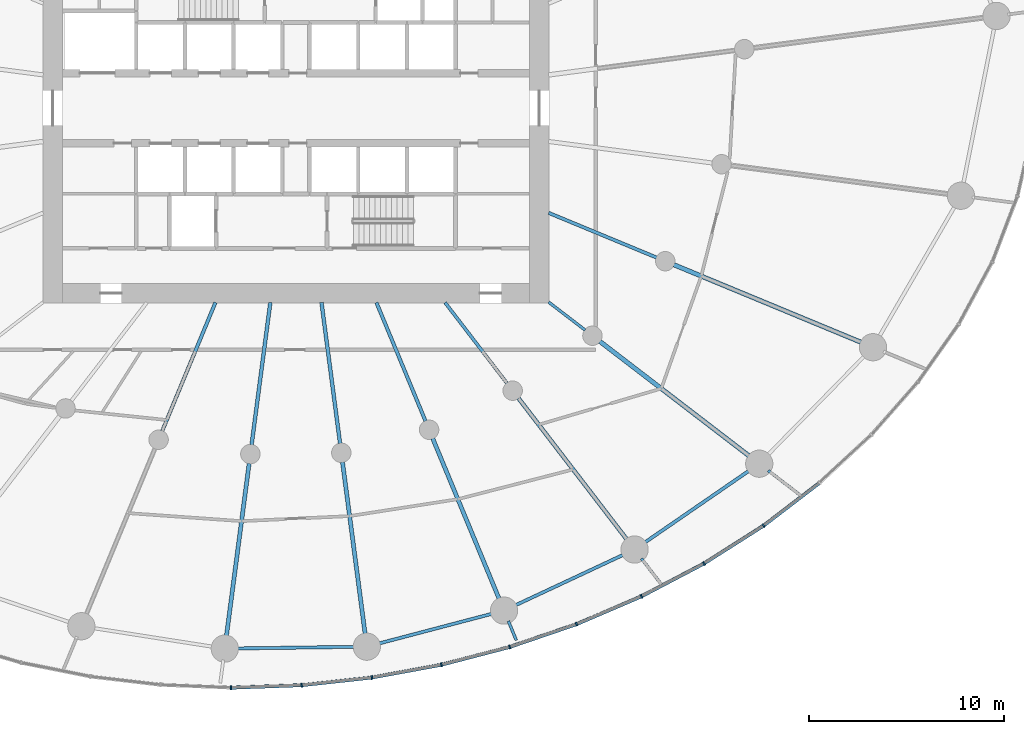
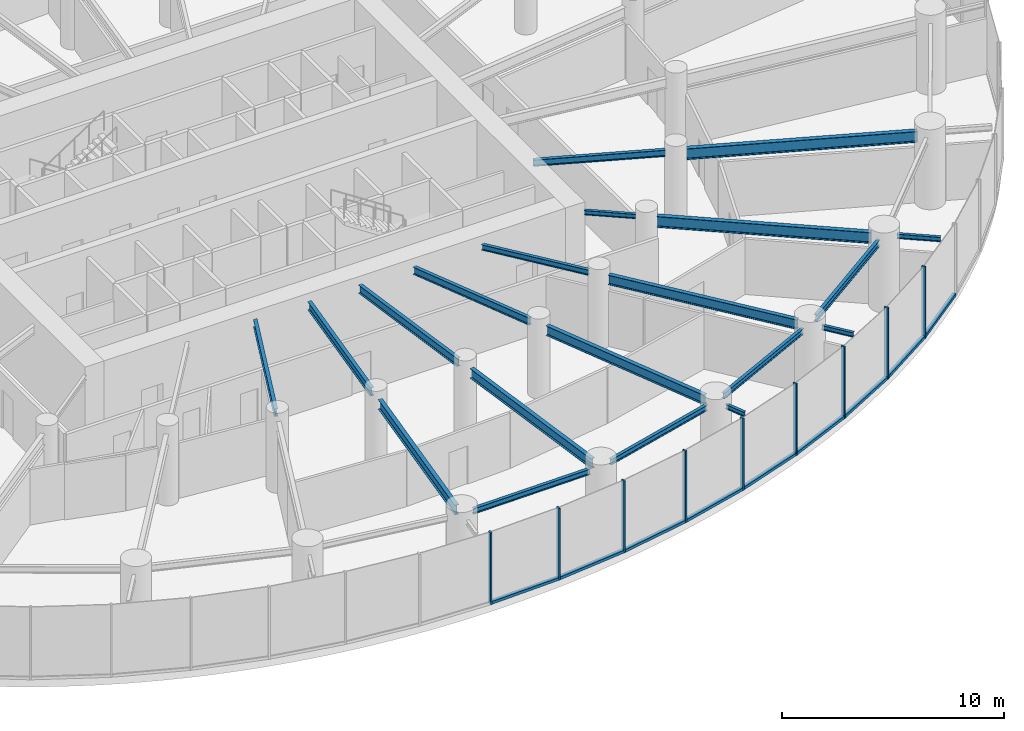
# One storey, part 4 of 19: 20 beams, 18 members, 2 elements without a shape of their own.
"""IFC4 building model written with IfcOpenShell, lengths in metres."""

from ifc_helpers import new_model, si_unit, direction, frame, origin, origin_2d, place, context, subcontext, project, spatial, rectangle, i_section, extrude, source, transform, mapped, material, layer, layer_set, material_profile, profile_set, type_object, element, aggregate, save


model = new_model("IFC4")

# Units and contexts
model_context = context("Model", 3, precision=1e-05, world=origin(), true_north=direction((0.0, 1.0)))
body_context = subcontext(model_context, "Body", "Model", "MODEL_VIEW")
ifc_project = project(units=[si_unit("LENGTHUNIT", "METRE"), si_unit("AREAUNIT", "SQUARE_METRE"), si_unit("VOLUMEUNIT", "CUBIC_METRE"), si_unit("PLANEANGLEUNIT", "RADIAN"), si_unit("MASSUNIT", "GRAM", prefix="KILO")], contexts=[model_context])

# Site, building, storey
site_placement = place(None, origin())
site = spatial("IfcSite", under=ifc_project, at=site_placement, CompositionType="ELEMENT")
building_placement = place(site_placement, origin())
building = spatial("IfcBuilding", under=site, at=building_placement, Name="Spindrift Exchange Tower", CompositionType="ELEMENT")
storey_placement = place(building_placement, frame((0.0, 0.0, 49.0)))
storey = spatial("IfcBuildingStorey", under=building, at=storey_placement, Name="L11", CompositionType="ELEMENT", Elevation=49.0)

# Beams
ifc_material_1 = material(Name="Steel Grade 300", Category="steel")
ifc_material_profile_1 = material_profile(ifc_material_1, i_section(OverallWidth=0.177978515625, OverallDepth=0.406005859375, WebThickness=0.0078125, FlangeThickness=0.0126953125, FilletRadius=0.013916015625, at=origin_2d()), Name="410UB59.7")
ifc_profile_set_1 = profile_set([ifc_material_profile_1], Name="Steel Grade 300")
beam_type_1 = type_object("IfcBeamType", Name="Floor Beam 410UB59.7 Steel Grade 300", PredefinedType="BEAM", material=ifc_profile_set_1)
shared_shape_1 = source(origin(), body_context, "Body", "SweptSolid", [
    extrude(i_section(OverallWidth=0.177978515625, OverallDepth=0.406005859375, WebThickness=0.0078125, FlangeThickness=0.0126953125, FilletRadius=0.013916015625, at=origin_2d()), origin(), (0.0, 0.0, 1.0), 7.150634765625),
])
beam_1_placement = place(storey_placement, frame((47.865478515625, 38.0185546875, 3.7470703125), z_axis=(-0.382665393358, -0.923887004306, 0.0), x_axis=(0.923887004306, -0.382665393358, 0.0)))
element("IfcBeam", 1, at=beam_1_placement, inside=storey, type_object=beam_type_1, Name="L11 radial beam R17A", PredefinedType="BEAM", context=body_context, shape_type="MappedRepresentation", body=[
    mapped(shared_shape_1, transform((0.0, 0.0, 0.0), scale=1.0)),
])
ifc_material_profile_2 = material_profile(ifc_material_1, i_section(OverallWidth=0.18994140625, OverallDepth=0.45703125, WebThickness=0.009033203125, FlangeThickness=0.014404296875, FilletRadius=0.013916015625, at=origin_2d()), Name="460UB74.6")
ifc_profile_set_2 = profile_set([ifc_material_profile_2], Name="Steel Grade 300")
beam_type_2 = type_object("IfcBeamType", Name="Floor Beam 460UB74.6 Steel Grade 300", PredefinedType="BEAM", material=ifc_profile_set_2)
shared_shape_2 = source(origin(), body_context, "Body", "SweptSolid", [
    extrude(i_section(OverallWidth=0.18994140625, OverallDepth=0.45703125, WebThickness=0.009033203125, FlangeThickness=0.014404296875, FilletRadius=0.013916015625, at=origin_2d()), origin(), (0.0, 0.0, 1.0), 7.374267578125),
])
beam_2_placement = place(storey_placement, frame((50.68603515625, 38.019775390625, 3.721435546875), z_axis=(-0.130539295622, -0.99144313619, 0.0), x_axis=(0.99144313619, -0.130539295622, 0.0)))
element("IfcBeam", 2, at=beam_2_placement, inside=storey, type_object=beam_type_2, Name="L11 radial beam R18A", PredefinedType="BEAM", context=body_context, shape_type="MappedRepresentation", body=[
    mapped(shared_shape_2, transform((0.0, 0.0, 0.0), scale=1.0)),
])
ifc_material_profile_3 = material_profile(ifc_material_1, i_section(OverallWidth=0.208984375, OverallDepth=0.532958984375, WebThickness=0.01025390625, FlangeThickness=0.015625, FilletRadius=0.013916015625, at=origin_2d()), Name="530UB92.4")
ifc_profile_set_3 = profile_set([ifc_material_profile_3], Name="Steel Grade 300")
beam_type_3 = type_object("IfcBeamType", Name="Floor Beam 530UB92.4 Steel Grade 300", PredefinedType="BEAM", material=ifc_profile_set_3)
shared_shape_3 = source(origin(), body_context, "Body", "SweptSolid", [
    extrude(i_section(OverallWidth=0.208984375, OverallDepth=0.532958984375, WebThickness=0.01025390625, FlangeThickness=0.015625, FilletRadius=0.013916015625, at=origin_2d()), origin(), (0.0, 0.0, 1.0), 9.020263671875),
])
beam_3_placement = place(storey_placement, frame((49.59814453125, 29.7568359375, 3.68359375), z_axis=(-0.13051122338, -0.991446831944, 0.0), x_axis=(0.991446831944, -0.13051122338, 0.0)))
element("IfcBeam", 3, at=beam_3_placement, inside=storey, type_object=beam_type_3, Name="L11 radial beam R18B", PredefinedType="BEAM", context=body_context, shape_type="MappedRepresentation", body=[
    mapped(shared_shape_3, transform((0.0, 0.0, 0.0), scale=1.0)),
])
shared_shape_4 = source(origin(), body_context, "Body", "SweptSolid", [
    extrude(i_section(OverallWidth=0.18994140625, OverallDepth=0.45703125, WebThickness=0.009033203125, FlangeThickness=0.014404296875, FilletRadius=0.013916015625, at=origin_2d()), origin(), (0.0, 0.0, 1.0), 7.3095703125),
])
beam_4_placement = place(storey_placement, frame((53.31396484375, 38.019775390625, 3.721435546875), z_axis=(0.130527087244, -0.991444743541, 0.0), x_axis=(0.991444743541, 0.130527087244, 0.0)))
element("IfcBeam", 4, at=beam_4_placement, inside=storey, type_object=beam_type_2, Name="L11 radial beam R19A", PredefinedType="BEAM", context=body_context, shape_type="MappedRepresentation", body=[
    mapped(shared_shape_4, transform((0.0, 0.0, 0.0), scale=1.0)),
])
shared_shape_5 = source(origin(), body_context, "Body", "SweptSolid", [
    extrude(i_section(OverallWidth=0.208984375, OverallDepth=0.532958984375, WebThickness=0.01025390625, FlangeThickness=0.015625, FilletRadius=0.013916015625, at=origin_2d()), origin(), (0.0, 0.0, 1.0), 8.98388671875),
])
beam_5_placement = place(storey_placement, frame((54.393310546875, 29.82080078125, 3.68359375), z_axis=(0.130524106785, -0.991445135924, 0.0), x_axis=(0.991445135924, 0.130524106785, 0.0)))
element("IfcBeam", 5, at=beam_5_placement, inside=storey, type_object=beam_type_3, Name="L11 radial beam R19B", PredefinedType="BEAM", context=body_context, shape_type="MappedRepresentation", body=[
    mapped(shared_shape_5, transform((0.0, 0.0, 0.0), scale=1.0)),
])
shared_shape_6 = source(origin(), body_context, "Body", "SweptSolid", [
    extrude(i_section(OverallWidth=0.177978515625, OverallDepth=0.406005859375, WebThickness=0.0078125, FlangeThickness=0.0126953125, FilletRadius=0.013916015625, at=origin_2d()), origin(), (0.0, 0.0, 1.0), 6.594482421875),
])
beam_6_placement = place(storey_placement, frame((56.134521484375, 38.0185546875, 3.7470703125), z_axis=(0.382692929746, -0.92387559851, 0.0), x_axis=(0.92387559851, 0.382692929746, 0.0)))
element("IfcBeam", 6, at=beam_6_placement, inside=storey, type_object=beam_type_1, Name="L11 radial beam R20A", PredefinedType="BEAM", context=body_context, shape_type="MappedRepresentation", body=[
    mapped(shared_shape_6, transform((0.0, 0.0, 0.0), scale=1.0)),
])
shared_shape_7 = source(origin(), body_context, "Body", "SweptSolid", [
    extrude(i_section(OverallWidth=0.208984375, OverallDepth=0.532958984375, WebThickness=0.01025390625, FlangeThickness=0.015625, FilletRadius=0.013916015625, at=origin_2d()), origin(), (0.0, 0.0, 1.0), 8.99658203125),
])
beam_7_placement = place(storey_placement, frame((59.025390625, 31.0390625, 3.68359375), z_axis=(0.382685731718, -0.923878580085, 0.0), x_axis=(0.923878580085, 0.382685731718, 0.0)))
element("IfcBeam", 7, at=beam_7_placement, inside=storey, type_object=beam_type_3, Name="L11 radial beam R20B", PredefinedType="BEAM", context=body_context, shape_type="MappedRepresentation", body=[
    mapped(shared_shape_7, transform((0.0, 0.0, 0.0), scale=1.0)),
])
ifc_material_profile_4 = material_profile(ifc_material_1, i_section(OverallWidth=0.1650390625, OverallDepth=0.303955078125, WebThickness=0.006103515625, FlangeThickness=0.01025390625, FilletRadius=0.011474609375, at=origin_2d()), Name="310UB40.4")
ifc_profile_set_4 = profile_set([ifc_material_profile_4], Name="Steel Grade 300")
beam_type_4 = type_object("IfcBeamType", Name="Floor Beam 310UB40.4 Steel Grade 300", PredefinedType="BEAM", material=ifc_profile_set_4)
shared_shape_8 = source(origin(), body_context, "Body", "SweptSolid", [
    extrude(i_section(OverallWidth=0.1650390625, OverallDepth=0.303955078125, WebThickness=0.006103515625, FlangeThickness=0.01025390625, FilletRadius=0.011474609375, at=origin_2d()), origin(), (0.0, 0.0, 1.0), 5.224609375),
])
beam_8_placement = place(storey_placement, frame((59.6611328125, 38.015869140625, 3.798095703125), z_axis=(0.608741499316, -0.793368632485, 0.0), x_axis=(0.793368632485, 0.608741499316, 0.0)))
element("IfcBeam", 8, at=beam_8_placement, inside=storey, type_object=beam_type_4, Name="L11 radial beam R21A", PredefinedType="BEAM", context=body_context, shape_type="MappedRepresentation", body=[
    mapped(shared_shape_8, transform((0.0, 0.0, 0.0), scale=1.0)),
])
shared_shape_9 = source(origin(), body_context, "Body", "SweptSolid", [
    extrude(i_section(OverallWidth=0.208984375, OverallDepth=0.532958984375, WebThickness=0.01025390625, FlangeThickness=0.015625, FilletRadius=0.013916015625, at=origin_2d()), origin(), (0.0, 0.0, 1.0), 9.227783203125),
])
beam_9_placement = place(storey_placement, frame((63.426025390625, 33.109375, 3.68359375), z_axis=(0.608747534474, -0.79336400175, 0.0), x_axis=(0.79336400175, 0.608747534474, 0.0)))
element("IfcBeam", 9, at=beam_9_placement, inside=storey, type_object=beam_type_3, Name="L11 radial beam R21B", PredefinedType="BEAM", context=body_context, shape_type="MappedRepresentation", body=[
    mapped(shared_shape_9, transform((0.0, 0.0, 0.0), scale=1.0)),
])
ifc_material_profile_5 = material_profile(ifc_material_1, i_section(OverallWidth=0.14599609375, OverallDepth=0.251953125, WebThickness=0.006103515625, FlangeThickness=0.008544921875, FilletRadius=0.011962890625, at=origin_2d()), Name="250UB31.4")
ifc_profile_set_5 = profile_set([ifc_material_profile_5], Name="Steel Grade 300")
beam_type_5 = type_object("IfcBeamType", Name="Floor Beam 250UB31.4 Steel Grade 300", PredefinedType="BEAM", material=ifc_profile_set_5)
shared_shape_10 = source(origin(), body_context, "Body", "SweptSolid", [
    extrude(i_section(OverallWidth=0.14599609375, OverallDepth=0.251953125, WebThickness=0.006103515625, FlangeThickness=0.008544921875, FilletRadius=0.011962890625, at=origin_2d()), origin(), (0.0, 0.0, 1.0), 2.353759765625),
])
beam_10_placement = place(storey_placement, frame((64.984130859375, 38.036865234375, 3.823974609375), z_axis=(0.793367573265, -0.608742879787, 0.0), x_axis=(0.608742879787, 0.793367573265, 0.0)))
element("IfcBeam", 10, at=beam_10_placement, inside=storey, type_object=beam_type_5, Name="L11 radial beam R22A", PredefinedType="BEAM", context=body_context, shape_type="MappedRepresentation", body=[
    mapped(shared_shape_10, transform((0.0, 0.0, 0.0), scale=1.0)),
])
ifc_material_profile_6 = material_profile(ifc_material_1, i_section(OverallWidth=0.22802734375, OverallDepth=0.60693359375, WebThickness=0.01123046875, FlangeThickness=0.017333984375, FilletRadius=0.013916015625, at=origin_2d()), Name="610UB113")
ifc_profile_set_6 = profile_set([ifc_material_profile_6], Name="Steel Grade 300")
beam_type_6 = type_object("IfcBeamType", Name="Floor Beam 610UB113 Steel Grade 300", PredefinedType="BEAM", material=ifc_profile_set_6)
shared_shape_11 = source(origin(), body_context, "Body", "SweptSolid", [
    extrude(i_section(OverallWidth=0.22802734375, OverallDepth=0.60693359375, WebThickness=0.01123046875, FlangeThickness=0.017333984375, FilletRadius=0.013916015625, at=origin_2d()), origin(), (0.0, 0.0, 1.0), 9.73974609375),
])
beam_11_placement = place(storey_placement, frame((67.61328125, 36.01953125, 3.646484375), z_axis=(0.793352119621, -0.608763019814, 0.0), x_axis=(0.608763019814, 0.793352119621, 0.0)))
element("IfcBeam", 11, at=beam_11_placement, inside=storey, type_object=beam_type_6, Name="L11 radial beam R22B", PredefinedType="BEAM", context=body_context, shape_type="MappedRepresentation", body=[
    mapped(shared_shape_11, transform((0.0, 0.0, 0.0), scale=1.0)),
])
ifc_material_profile_7 = material_profile(ifc_material_1, i_section(OverallWidth=0.172119140625, OverallDepth=0.35888671875, WebThickness=0.008056640625, FlangeThickness=0.012939453125, FilletRadius=0.013916015625, at=origin_2d()), Name="360UB56.7")
ifc_profile_set_7 = profile_set([ifc_material_profile_7], Name="Steel Grade 300")
beam_type_7 = type_object("IfcBeamType", Name="Floor Beam 360UB56.7 Steel Grade 300", PredefinedType="BEAM", material=ifc_profile_set_7)
shared_shape_12 = source(origin(), body_context, "Body", "SweptSolid", [
    extrude(i_section(OverallWidth=0.172119140625, OverallDepth=0.35888671875, WebThickness=0.008056640625, FlangeThickness=0.012939453125, FilletRadius=0.013916015625, at=origin_2d()), origin(), (0.0, 0.0, 1.0), 6.004638671875),
])
beam_12_placement = place(storey_placement, frame((64.9814453125, 42.622802734375, 3.7705078125), z_axis=(0.923882044911, -0.38267736684, 0.0), x_axis=(0.38267736684, 0.923882044911, 0.0)))
element("IfcBeam", 12, at=beam_12_placement, inside=storey, type_object=beam_type_7, Name="L11 radial beam R23A", PredefinedType="BEAM", context=body_context, shape_type="MappedRepresentation", body=[
    mapped(shared_shape_12, transform((0.0, 0.0, 0.0), scale=1.0)),
])
shared_shape_13 = source(origin(), body_context, "Body", "SweptSolid", [
    extrude(i_section(OverallWidth=0.22802734375, OverallDepth=0.60693359375, WebThickness=0.01123046875, FlangeThickness=0.017333984375, FilletRadius=0.013916015625, at=origin_2d()), origin(), (0.0, 0.0, 1.0), 10.4912109375),
])
beam_13_placement = place(storey_placement, frame((71.416015625, 39.95751953125, 3.646484375), z_axis=(0.923885231151, -0.382669674342, 0.0), x_axis=(0.382669674342, 0.923885231151, 0.0)))
element("IfcBeam", 13, at=beam_13_placement, inside=storey, type_object=beam_type_6, Name="L11 radial beam R23B", PredefinedType="BEAM", context=body_context, shape_type="MappedRepresentation", body=[
    mapped(shared_shape_13, transform((0.0, 0.0, 0.0), scale=1.0)),
])
ifc_material_profile_8 = material_profile(ifc_material_1, i_section(OverallWidth=0.1650390625, OverallDepth=0.303955078125, WebThickness=0.006103515625, FlangeThickness=0.01025390625, FilletRadius=0.011474609375, at=origin_2d()), Name="310UB40.4")
ifc_profile_set_8 = profile_set([ifc_material_profile_8], Name="Steel Grade 300")
beam_type_8 = type_object("IfcBeamType", Name="Edge Beam 310UB40.4 Steel Grade 300", PredefinedType="SPANDREL", material=ifc_profile_set_8)
shared_shape_14 = source(origin(), body_context, "Body", "SweptSolid", [
    extrude(i_section(OverallWidth=0.1650390625, OverallDepth=0.303955078125, WebThickness=0.006103515625, FlangeThickness=0.01025390625, FilletRadius=0.011474609375, at=origin_2d()), origin(), (0.0, 0.0, 1.0), 6.13720703125),
])
beam_14_placement = place(storey_placement, frame((48.925048828125, 20.24658203125, 3.798095703125), z_axis=(0.999905820907, 0.013724041543, 0.0), x_axis=(-0.013724041543, 0.999905820907, 0.0)))
element("IfcBeam", 14, at=beam_14_placement, inside=storey, type_object=beam_type_8, Name="L11 edge beam E18", PredefinedType="SPANDREL", context=body_context, shape_type="MappedRepresentation", body=[
    mapped(shared_shape_14, transform((0.0, 0.0, 0.0), scale=1.0)),
])
shared_shape_15 = source(origin(), body_context, "Body", "SweptSolid", [
    extrude(i_section(OverallWidth=0.1650390625, OverallDepth=0.303955078125, WebThickness=0.006103515625, FlangeThickness=0.01025390625, FilletRadius=0.011474609375, at=origin_2d()), origin(), (0.0, 0.0, 1.0), 6.128173828125),
])
beam_15_placement = place(storey_placement, frame((56.20263671875, 20.486083984375, 3.798095703125), z_axis=(0.967147261855, 0.254216785216, 0.0), x_axis=(-0.254216785216, 0.967147261855, 0.0)))
element("IfcBeam", 15, at=beam_15_placement, inside=storey, type_object=beam_type_8, Name="L11 edge beam E19", PredefinedType="SPANDREL", context=body_context, shape_type="MappedRepresentation", body=[
    mapped(shared_shape_15, transform((0.0, 0.0, 0.0), scale=1.0)),
])
shared_shape_16 = source(origin(), body_context, "Body", "SweptSolid", [
    extrude(i_section(OverallWidth=0.1650390625, OverallDepth=0.303955078125, WebThickness=0.006103515625, FlangeThickness=0.01025390625, FilletRadius=0.011474609375, at=origin_2d()), origin(), (0.0, 0.0, 1.0), 6.243408203125),
])
beam_16_placement = place(storey_placement, frame((63.2158203125, 22.43701171875, 3.798095703125), z_axis=(0.905791146607, 0.423724437257, 0.0), x_axis=(-0.423724437257, 0.905791146607, 0.0)))
element("IfcBeam", 16, at=beam_16_placement, inside=storey, type_object=beam_type_8, Name="L11 edge beam E20", PredefinedType="SPANDREL", context=body_context, shape_type="MappedRepresentation", body=[
    mapped(shared_shape_16, transform((0.0, 0.0, 0.0), scale=1.0)),
])
ifc_material_profile_9 = material_profile(ifc_material_1, i_section(OverallWidth=0.172119140625, OverallDepth=0.35888671875, WebThickness=0.008056640625, FlangeThickness=0.012939453125, FilletRadius=0.013916015625, at=origin_2d()), Name="360UB56.7")
ifc_profile_set_9 = profile_set([ifc_material_profile_9], Name="Steel Grade 300")
beam_type_9 = type_object("IfcBeamType", Name="Edge Beam 360UB56.7 Steel Grade 300", PredefinedType="SPANDREL", material=ifc_profile_set_9)
shared_shape_17 = source(origin(), body_context, "Body", "SweptSolid", [
    extrude(i_section(OverallWidth=0.172119140625, OverallDepth=0.35888671875, WebThickness=0.008056640625, FlangeThickness=0.012939453125, FilletRadius=0.013916015625, at=origin_2d()), origin(), (0.0, 0.0, 1.0), 6.614990234375),
])
beam_17_placement = place(storey_placement, frame((69.874267578125, 25.6572265625, 3.7705078125), z_axis=(0.823690708835, 0.567039342708, 0.0), x_axis=(-0.567039342708, 0.823690708835, 0.0)))
element("IfcBeam", 17, at=beam_17_placement, inside=storey, type_object=beam_type_9, Name="L11 edge beam E21", PredefinedType="SPANDREL", context=body_context, shape_type="MappedRepresentation", body=[
    mapped(shared_shape_17, transform((0.0, 0.0, 0.0), scale=1.0)),
])
ifc_material_profile_10 = material_profile(ifc_material_1, i_section(OverallWidth=0.14599609375, OverallDepth=0.251953125, WebThickness=0.006103515625, FlangeThickness=0.008544921875, FilletRadius=0.011962890625, at=origin_2d()), Name="250UB31.4")
ifc_profile_set_10 = profile_set([ifc_material_profile_10], Name="Steel Grade 300")
beam_type_10 = type_object("IfcBeamType", Name="Cantilever Beam 250UB31.4 Steel Grade 300", PredefinedType="BEAM", material=ifc_profile_set_10)
shared_shape_18 = source(origin(), body_context, "Body", "SweptSolid", [
    extrude(i_section(OverallWidth=0.14599609375, OverallDepth=0.251953125, WebThickness=0.006103515625, FlangeThickness=0.008544921875, FilletRadius=0.011962890625, at=origin_2d()), origin(), (0.0, 0.0, 1.0), 1.0703125),
])
beam_18_placement = place(storey_placement, frame((62.912109375, 21.655517578125, 3.823974609375), z_axis=(0.382768141022, -0.923844440487, 0.0), x_axis=(0.923844440487, 0.382768141022, 0.0)))
element("IfcBeam", 18, at=beam_18_placement, inside=storey, type_object=beam_type_10, Name="L11 cantilever beam R20T", PredefinedType="BEAM", context=body_context, shape_type="MappedRepresentation", body=[
    mapped(shared_shape_18, transform((0.0, 0.0, 0.0), scale=1.0)),
])
shared_shape_19 = source(origin(), body_context, "Body", "SweptSolid", [
    extrude(i_section(OverallWidth=0.14599609375, OverallDepth=0.251953125, WebThickness=0.006103515625, FlangeThickness=0.008544921875, FilletRadius=0.011962890625, at=origin_2d()), origin(), (0.0, 0.0, 1.0), 1.551025390625),
])
beam_19_placement = place(storey_placement, frame((69.749755859375, 24.8681640625, 3.823974609375), z_axis=(0.608728928553, -0.79337827771, 0.0), x_axis=(0.79337827771, 0.608728928553, 0.0)))
element("IfcBeam", 19, at=beam_19_placement, inside=storey, type_object=beam_type_10, Name="L11 cantilever beam R21T", PredefinedType="BEAM", context=body_context, shape_type="MappedRepresentation", body=[
    mapped(shared_shape_19, transform((0.0, 0.0, 0.0), scale=1.0)),
])
shared_shape_20 = source(origin(), body_context, "Body", "SweptSolid", [
    extrude(i_section(OverallWidth=0.14599609375, OverallDepth=0.251953125, WebThickness=0.006103515625, FlangeThickness=0.008544921875, FilletRadius=0.011962890625, at=origin_2d()), origin(), (0.0, 0.0, 1.0), 1.985107421875),
])
beam_20_placement = place(storey_placement, frame((76.2607421875, 29.384033203125, 3.823974609375), z_axis=(0.7933549083, -0.608759385535, 0.0), x_axis=(0.608759385535, 0.7933549083, 0.0)))
element("IfcBeam", 20, at=beam_20_placement, inside=storey, type_object=beam_type_10, Name="L11 cantilever beam R22T", PredefinedType="BEAM", context=body_context, shape_type="MappedRepresentation", body=[
    mapped(shared_shape_20, transform((0.0, 0.0, 0.0), scale=1.0)),
])

# Curtain wall, members
ifc_material_2 = material(Name="Fritted laminated glass with bronze frame", Category="glass")
ifc_layer = layer(ifc_material_2, 0.199951171875)
ifc_layer_set = layer_set([ifc_layer], Name="ZONE 1 BRONZE FRITTED WALL")
curtain_wall_type = type_object("IfcCurtainWallType", Name="ZONE 1 BRONZE FRITTED WALL", PredefinedType="NOTDEFINED", material=ifc_layer_set)
curtain_wall_1_placement = place(storey_placement, origin())
curtain_wall_1 = element("IfcCurtainWall", 21, at=curtain_wall_1_placement, inside=storey, type_object=curtain_wall_type, Name="L11 Zone 1 Bronze Fritted Wall run 8", PredefinedType="NOTDEFINED")
ifc_material_3 = material(Name="Bronze anodised aluminium", Category="aluminium")
ifc_material_profile_11 = material_profile(ifc_material_3, rectangle(XDim=0.080078125, YDim=0.199951171875, at=origin_2d()), Name="ZONE 1 BRONZE FRITTED WALL MULLION 80X200")
ifc_profile_set_11 = profile_set([ifc_material_profile_11], Name="Bronze anodised aluminium")
member_type_1 = type_object("IfcMemberType", Name="ZONE 1 BRONZE FRITTED WALL MULLION 80X200", PredefinedType="MULLION", material=ifc_profile_set_11)
shared_shape_21 = source(origin(), body_context, "Body", "SweptSolid", [
    extrude(rectangle(XDim=0.080078125, YDim=0.199951171875, at=origin_2d()), origin(), (0.0, 0.0, 1.0), 3.949951171875),
])
member_1_placement = place(storey_placement, frame((48.672119140625, 18.23193359375, 0.0), z_axis=(0.0, 0.0, 1.0), x_axis=(0.999997684621, -0.002151918167, 0.0)))
member_1 = element("IfcMember", 22, at=member_1_placement, type_object=member_type_1, Name="L11 mullion CW-1.43", PredefinedType="MULLION", context=body_context, shape_type="MappedRepresentation", body=[
    mapped(shared_shape_21, transform((0.0, 0.0, 0.0), scale=1.0)),
])
member_2_placement = place(storey_placement, frame((52.29736328125, 18.35986328125, 0.0), z_axis=(0.0, 0.0, 1.0), x_axis=(0.997407568275, 0.071959313135, 0.0)))
member_2 = element("IfcMember", 23, at=member_2_placement, type_object=member_type_1, Name="L11 mullion CW-1.44", PredefinedType="MULLION", context=body_context, shape_type="MappedRepresentation", body=[
    mapped(shared_shape_21, transform((0.0, 0.0, 0.0), scale=1.0)),
])
member_3_placement = place(storey_placement, frame((55.9033203125, 18.753662109375, 0.0), z_axis=(0.0, 0.0, 1.0), x_axis=(0.98947738713, 0.144687595732, 0.0)))
member_3 = element("IfcMember", 24, at=member_3_placement, type_object=member_type_1, Name="L11 mullion CW-1.45", PredefinedType="MULLION", context=body_context, shape_type="MappedRepresentation", body=[
    mapped(shared_shape_21, transform((0.0, 0.0, 0.0), scale=1.0)),
])
member_4_placement = place(storey_placement, frame((59.47119140625, 19.408935546875, 0.0), z_axis=(0.0, 0.0, 1.0), x_axis=(0.976295156842, 0.216443449256, 0.0)))
member_4 = element("IfcMember", 25, at=member_4_placement, type_object=member_type_1, Name="L11 mullion CW-1.46", PredefinedType="MULLION", context=body_context, shape_type="MappedRepresentation", body=[
    mapped(shared_shape_21, transform((0.0, 0.0, 0.0), scale=1.0)),
])
member_5_placement = place(storey_placement, frame((62.9814453125, 20.32275390625, 0.0), z_axis=(0.0, 0.0, 1.0), x_axis=(0.957747377967, 0.287610778654, 0.0)))
member_5 = element("IfcMember", 26, at=member_5_placement, type_object=member_type_1, Name="L11 mullion CW-1.47", PredefinedType="MULLION", context=body_context, shape_type="MappedRepresentation", body=[
    mapped(shared_shape_21, transform((0.0, 0.0, 0.0), scale=1.0)),
])
member_6_placement = place(storey_placement, frame((66.41455078125, 21.493896484375, 0.0), z_axis=(0.0, 0.0, 1.0), x_axis=(0.933504638559, 0.358565321508, 0.0)))
member_6 = element("IfcMember", 27, at=member_6_placement, type_object=member_type_1, Name="L11 mullion CW-1.48", PredefinedType="MULLION", context=body_context, shape_type="MappedRepresentation", body=[
    mapped(shared_shape_21, transform((0.0, 0.0, 0.0), scale=1.0)),
])

curtain_wall_2_placement = place(storey_placement, origin())
curtain_wall_2 = element("IfcCurtainWall", 28, at=curtain_wall_2_placement, inside=storey, type_object=curtain_wall_type, Name="L11 Zone 1 Bronze Fritted Wall run 9", PredefinedType="NOTDEFINED")
member_7_placement = place(storey_placement, frame((69.748779296875, 22.922119140625, 0.0), z_axis=(0.0, 0.0, 1.0), x_axis=(0.903023381989, 0.42959140073, 0.0)))
member_7 = element("IfcMember", 29, at=member_7_placement, type_object=member_type_1, Name="L11 mullion CW-1.49", PredefinedType="MULLION", context=body_context, shape_type="MappedRepresentation", body=[
    mapped(shared_shape_21, transform((0.0, 0.0, 0.0), scale=1.0)),
])
member_8_placement = place(storey_placement, frame((72.96044921875, 24.608154296875, 0.0), z_axis=(0.0, 0.0, 1.0), x_axis=(0.865517113146, 0.500879353588, 0.0)))
member_8 = element("IfcMember", 30, at=member_8_placement, type_object=member_type_1, Name="L11 mullion CW-1.50", PredefinedType="MULLION", context=body_context, shape_type="MappedRepresentation", body=[
    mapped(shared_shape_21, transform((0.0, 0.0, 0.0), scale=1.0)),
])
member_9_placement = place(storey_placement, frame((76.022216796875, 26.552734375, 0.0), z_axis=(0.0, 0.0, 1.0), x_axis=(0.819944441963, 0.572443108173, 0.0)))
member_9 = element("IfcMember", 31, at=member_9_placement, type_object=member_type_1, Name="L11 mullion CW-1.51", PredefinedType="MULLION", context=body_context, shape_type="MappedRepresentation", body=[
    mapped(shared_shape_21, transform((0.0, 0.0, 0.0), scale=1.0)),
])
ifc_material_profile_12 = material_profile(ifc_material_3, rectangle(XDim=0.179931640625, YDim=0.14990234375, at=origin_2d()), Name="ZONE 1 BRONZE FRITTED WALL TRANSOM 180X150")
ifc_profile_set_12 = profile_set([ifc_material_profile_12], Name="Bronze anodised aluminium")
member_type_2 = type_object("IfcMemberType", Name="ZONE 1 BRONZE FRITTED WALL TRANSOM 180X150", PredefinedType="USERDEFINED", material=ifc_profile_set_12)
shared_shape_22 = source(origin(), body_context, "Body", "SweptSolid", [
    extrude(rectangle(XDim=0.179931640625, YDim=0.14990234375, at=origin_2d()), origin(), (0.0, 0.0, 1.0), 3.546875),
])
member_10_placement = place(storey_placement, frame((72.994384765625, 24.629638671875, 0.074951171875), z_axis=(0.844140132911, 0.536122594198, 0.0), x_axis=(-0.536122594198, 0.844140132911, 0.0)))
member_10 = element("IfcMember", 32, at=member_10_placement, type_object=member_type_2, Name="L11 transom CW-1.50", ObjectType="TRANSOM", PredefinedType="USERDEFINED", context=body_context, shape_type="MappedRepresentation", body=[
    mapped(shared_shape_22, transform((0.0, 0.0, 0.0), scale=1.0)),
])

# Member
shared_shape_23 = source(origin(), body_context, "Body", "SweptSolid", [
    extrude(rectangle(XDim=0.179931640625, YDim=0.14990234375, at=origin_2d()), origin(), (0.0, 0.0, 1.0), 3.54736328125),
])
member_11_placement = place(storey_placement, frame((48.712158203125, 18.2333984375, 0.074951171875), z_axis=(0.999378970594, 0.035237382614, 0.0), x_axis=(-0.035237382614, 0.999378970594, 0.0)))
member_11 = element("IfcMember", 33, at=member_11_placement, type_object=member_type_2, Name="L11 transom CW-1.43", ObjectType="TRANSOM", PredefinedType="USERDEFINED", context=body_context, shape_type="MappedRepresentation", body=[
    mapped(shared_shape_23, transform((0.0, 0.0, 0.0), scale=1.0)),
])

member_12_placement = place(storey_placement, frame((52.337158203125, 18.3642578125, 0.074951171875), z_axis=(0.994092594493, 0.108535310268, 0.0), x_axis=(-0.108535310268, 0.994092594493, 0.0)))
member_12 = element("IfcMember", 34, at=member_12_placement, type_object=member_type_2, Name="L11 transom CW-1.44", ObjectType="TRANSOM", PredefinedType="USERDEFINED", context=body_context, shape_type="MappedRepresentation", body=[
    mapped(shared_shape_23, transform((0.0, 0.0, 0.0), scale=1.0)),
])

member_13_placement = place(storey_placement, frame((55.942626953125, 18.7607421875, 0.074951171875), z_axis=(0.983545668846, 0.180659672572, 0.0), x_axis=(-0.180659672572, 0.983545668846, 0.0)))
member_13 = element("IfcMember", 35, at=member_13_placement, type_object=member_type_2, Name="L11 transom CW-1.45", ObjectType="TRANSOM", PredefinedType="USERDEFINED", context=body_context, shape_type="MappedRepresentation", body=[
    mapped(shared_shape_23, transform((0.0, 0.0, 0.0), scale=1.0)),
])

member_14_placement = place(storey_placement, frame((59.509765625, 19.4189453125, 0.074951171875), z_axis=(0.967736297398, 0.251965193427, 0.0), x_axis=(-0.251965193427, 0.967736297398, 0.0)))
member_14 = element("IfcMember", 36, at=member_14_placement, type_object=member_type_2, Name="L11 transom CW-1.46", ObjectType="TRANSOM", PredefinedType="USERDEFINED", context=body_context, shape_type="MappedRepresentation", body=[
    mapped(shared_shape_23, transform((0.0, 0.0, 0.0), scale=1.0)),
])

member_15_placement = place(storey_placement, frame((63.019287109375, 20.335693359375, 0.074951171875), z_axis=(0.946429904593, 0.32290933045, 0.0), x_axis=(-0.32290933045, 0.946429904593, 0.0)))
member_15 = element("IfcMember", 37, at=member_15_placement, type_object=member_type_2, Name="L11 transom CW-1.47", ObjectType="TRANSOM", PredefinedType="USERDEFINED", context=body_context, shape_type="MappedRepresentation", body=[
    mapped(shared_shape_23, transform((0.0, 0.0, 0.0), scale=1.0)),
])

member_16_placement = place(storey_placement, frame((66.451171875, 21.509765625, 0.074951171875), z_axis=(0.919219771092, 0.393744857024, 0.0), x_axis=(-0.393744857024, 0.919219771092, 0.0)))
member_16 = element("IfcMember", 38, at=member_16_placement, type_object=member_type_2, Name="L11 transom CW-1.48", ObjectType="TRANSOM", PredefinedType="USERDEFINED", context=body_context, shape_type="MappedRepresentation", body=[
    mapped(shared_shape_23, transform((0.0, 0.0, 0.0), scale=1.0)),
])

aggregate(curtain_wall_1, [member_1, member_11, member_2, member_12, member_3, member_13, member_4, member_14, member_5, member_15, member_6, member_16])

member_17_placement = place(storey_placement, frame((69.7841796875, 22.940673828125, 0.074951171875), z_axis=(0.885401443411, 0.464827154979, 0.0), x_axis=(-0.464827154979, 0.885401443411, 0.0)))
member_17 = element("IfcMember", 39, at=member_17_placement, type_object=member_type_2, Name="L11 transom CW-1.49", ObjectType="TRANSOM", PredefinedType="USERDEFINED", context=body_context, shape_type="MappedRepresentation", body=[
    mapped(shared_shape_23, transform((0.0, 0.0, 0.0), scale=1.0)),
])

shared_shape_24 = source(origin(), body_context, "Body", "SweptSolid", [
    extrude(rectangle(XDim=0.179931640625, YDim=0.14990234375, at=origin_2d()), origin(), (0.0, 0.0, 1.0), 3.547119140625),
])
member_18_placement = place(storey_placement, frame((76.053955078125, 26.576904296875, 0.074951171875), z_axis=(0.79418979363, 0.607669788367, 0.0), x_axis=(-0.607669788367, 0.79418979363, 0.0)))
member_18 = element("IfcMember", 40, at=member_18_placement, type_object=member_type_2, Name="L11 transom CW-1.51", ObjectType="TRANSOM", PredefinedType="USERDEFINED", context=body_context, shape_type="MappedRepresentation", body=[
    mapped(shared_shape_24, transform((0.0, 0.0, 0.0), scale=1.0)),
])

aggregate(curtain_wall_2, [member_7, member_17, member_8, member_10, member_9, member_18])

save(model, "model.ifc")
